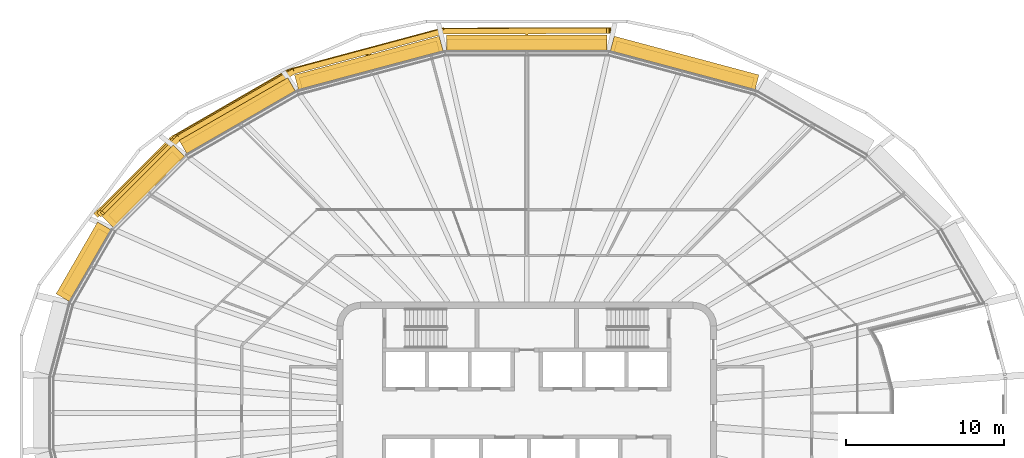
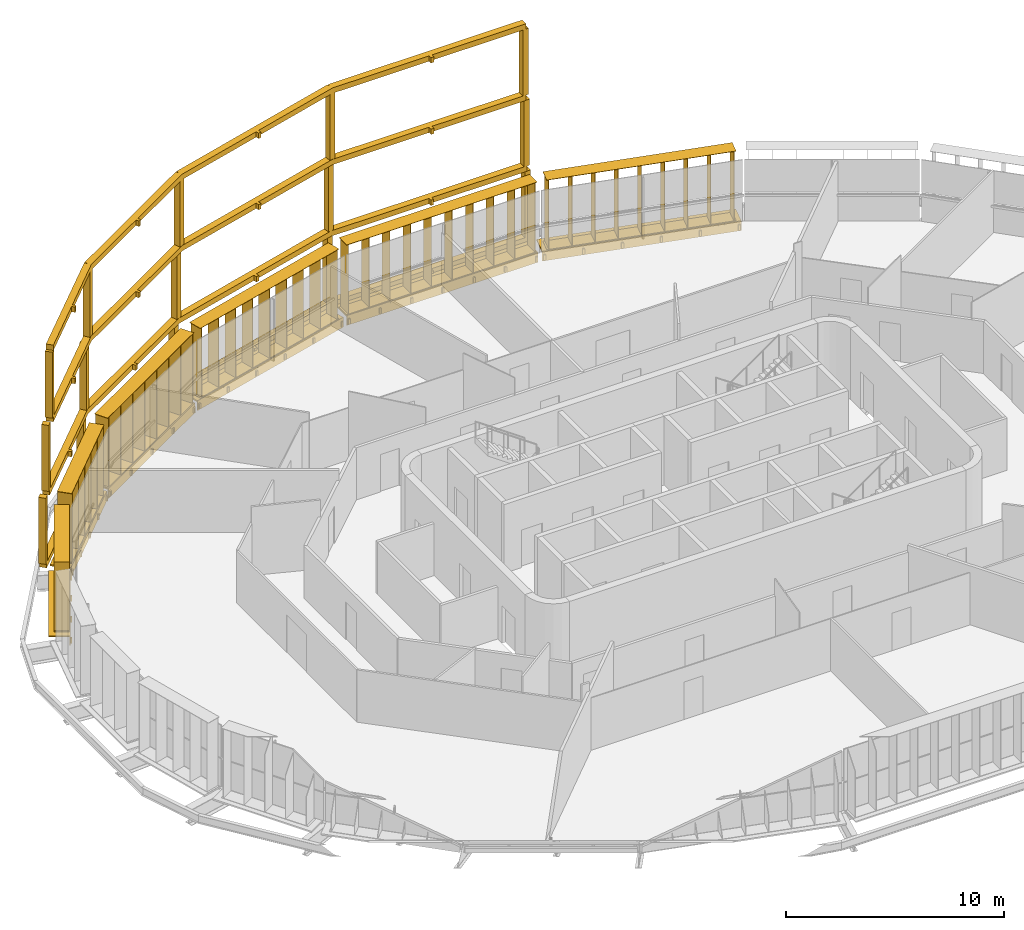
# One storey, part 20 of 21: 13 shading devices.
"""IFC4 building model written with IfcOpenShell, lengths in metres."""

from ifc_helpers import new_model, si_unit, direction, frame, origin, origin_2d, place, context, subcontext, project, spatial, polyline, rectangle, outline, extrude, material, type_object, element, save


model = new_model("IFC4")

# Units and contexts
model_context = context("Model", 3, precision=1e-05, world=origin(), true_north=direction((0.0, 1.0)))
body_context = subcontext(model_context, "Body", "Model", "MODEL_VIEW")
ifc_project = project(units=[si_unit("LENGTHUNIT", "METRE"), si_unit("AREAUNIT", "SQUARE_METRE"), si_unit("VOLUMEUNIT", "CUBIC_METRE"), si_unit("PLANEANGLEUNIT", "RADIAN"), si_unit("MASSUNIT", "GRAM", prefix="KILO")], contexts=[model_context])

# Site, building, storey
site_placement = place(None, origin())
site = spatial("IfcSite", under=ifc_project, at=site_placement, CompositionType="ELEMENT")
building_placement = place(site_placement, origin())
building = spatial("IfcBuilding", under=site, at=building_placement, Name="Sahrelin Media Tower", CompositionType="ELEMENT")
storey_placement = place(building_placement, frame((0.0, 0.0, 263.0)))
storey = spatial("IfcBuildingStorey", under=building, at=storey_placement, Name="L57", CompositionType="ELEMENT", Elevation=263.0)

# Shading devices
ifc_material_1 = material(Name="Dark bronze anodised aluminium 6063-T6", Category="aluminium")
shading_device_type_1 = type_object("IfcShadingDeviceType", Name="Deep frame", PredefinedType="USERDEFINED", material=ifc_material_1)
shading_device_1_placement = place(storey_placement, frame((5.170166015625, 22.84521484375, 0.0), z_axis=(0.0, 0.0, 1.0), x_axis=(1.0, 0.0, 0.0)))
element("IfcShadingDevice", 1, at=shading_device_1_placement, inside=storey, type_object=shading_device_type_1, Name="L57:FRAME:F5-3", ObjectType="FRAME", PredefinedType="USERDEFINED", context=body_context, shape_type="SweptSolid", body=[
    extrude(rectangle(XDim=0.300048828125, YDim=0.35009765625, at=origin_2d()), frame((0.0, 1.324951171875, 0.14990234375), z_axis=(0.0, 0.0, 1.0), x_axis=(-1.0, 0.0, 0.0)), (0.0, 0.0, 1.0), 3.7001953125),
    extrude(rectangle(XDim=0.300048828125, YDim=0.35009765625, at=origin_2d()), frame((-10.51318359375, 1.313720703125, 0.14990234375), z_axis=(0.0, 0.0, 1.0), x_axis=(-0.991436202368, -0.130591947046, 0.0)), (0.0, 0.0, 1.0), 3.7001953125),
    extrude(rectangle(XDim=0.300048828125, YDim=0.35009765625, at=origin_2d()), frame((-20.178466796875, -1.276123046875, 0.14990234375), z_axis=(0.0, 0.0, 1.0), x_axis=(-0.923897565017, -0.382639895143, 0.0)), (0.0, 0.0, 1.0), 3.7001953125),
    extrude(rectangle(XDim=0.300048828125, YDim=0.35009765625, at=origin_2d()), frame((-27.510498046875, -5.50927734375, 0.14990234375), z_axis=(0.0, 0.0, 1.0), x_axis=(-0.793352277801, -0.608762813671, 0.0)), (0.0, 0.0, 1.0), 3.7001953125),
    extrude(rectangle(XDim=0.300048828125, YDim=0.35009765625, at=origin_2d()), frame((-32.284423828125, -10.26708984375, 0.14990234375), z_axis=(0.0, 0.0, 1.0), x_axis=(-0.707106781187, -0.707106781187, 0.0)), (0.0, 0.0, 1.0), 3.7001953125),
    extrude(outline(polyline([(-29.7646484375, -8.24951171875), (-29.658447265625, -8.143310546875), (-29.78173828125, -8.02001953125), (-27.403076171875, -5.6494140625), (-23.822021484375, -3.581787109375), (-23.737548828125, -3.727783203125), (-23.607666015625, -3.65283203125), (-23.69189453125, -3.506591796875), (-20.11083984375, -1.439208984375), (-15.373046875, -0.169677734375), (-15.329345703125, -0.33251953125), (-15.184326171875, -0.293701171875), (-15.22802734375, -0.130859375), (-10.489990234375, 1.138671875), (-5.2451171875, 1.144287109375), (-5.2451171875, 0.969970703125), (-5.09521484375, 0.969970703125), (-5.09521484375, 1.14453125), (0.000244140625, 1.14990234375), (-0.000244140625, 1.5), (-10.51318359375, 1.48876953125), (-10.51318359375, 1.313720703125), (-10.558349609375, 1.482666015625), (-20.2236328125, -1.107177734375), (-20.178466796875, -1.276123046875), (-20.26611328125, -1.12451171875), (-27.597900390625, -5.357666015625), (-27.510498046875, -5.50927734375), (-27.6337890625, -5.38525390625), (-32.407958984375, -10.143310546875), (-32.160888671875, -10.39111328125), (-29.887939453125, -8.1259765625), (-29.7646484375, -8.24951171875)])), frame((0.0, 0.0, -0.14990234375)), (0.0, 0.0, 1.0), 0.2998046875),
    extrude(rectangle(XDim=0.300048828125, YDim=0.35009765625, at=origin_2d()), frame((-0.05419921875, 1.309814453125, 4.14990234375), z_axis=(0.0, 0.0, 1.0), x_axis=(-1.0, 0.0, 0.0)), (0.0, 0.0, 1.0), 3.7001953125),
    extrude(rectangle(XDim=0.300048828125, YDim=0.35009765625, at=origin_2d()), frame((-10.458984375, 1.298583984375, 4.14990234375), z_axis=(0.0, 0.0, 1.0), x_axis=(-0.991436202368, -0.130591947046, 0.0)), (0.0, 0.0, 1.0), 3.7001953125),
    extrude(rectangle(XDim=0.300048828125, YDim=0.35009765625, at=origin_2d()), frame((-20.040771484375, -1.26904296875, 4.14990234375), z_axis=(0.0, 0.0, 1.0), x_axis=(-0.923897565017, -0.382639895143, 0.0)), (0.0, 0.0, 1.0), 3.7001953125),
    extrude(rectangle(XDim=0.300048828125, YDim=0.35009765625, at=origin_2d()), frame((-27.3349609375, -5.480224609375, 4.14990234375), z_axis=(0.0, 0.0, 1.0), x_axis=(-0.793352277801, -0.608762813671, 0.0)), (0.0, 0.0, 1.0), 3.7001953125),
    extrude(rectangle(XDim=0.300048828125, YDim=0.35009765625, at=origin_2d()), frame((-32.102294921875, -10.231689453125, 4.14990234375), z_axis=(0.0, 0.0, 1.0), x_axis=(-0.707106781187, -0.707106781187, 0.0)), (0.0, 0.0, 1.0), 3.7001953125),
    extrude(outline(polyline([(-29.585693359375, -8.21728515625), (-29.479736328125, -8.111083984375), (-29.60302734375, -7.98779296875), (-27.2275390625, -5.620361328125), (-23.665283203125, -3.563720703125), (-23.580810546875, -3.709716796875), (-23.450927734375, -3.634765625), (-23.535400390625, -3.48876953125), (-19.97314453125, -1.431884765625), (-15.277099609375, -0.173583984375), (-15.2333984375, -0.336669921875), (-15.08837890625, -0.2978515625), (-15.132080078125, -0.135009765625), (-10.435791015625, 1.12353515625), (-5.2451171875, 1.129150390625), (-5.2451171875, 0.954833984375), (-5.09521484375, 0.954833984375), (-5.09521484375, 1.12939453125), (-0.053955078125, 1.134765625), (-0.05419921875, 1.48486328125), (-10.459228515625, 1.473388671875), (-10.458984375, 1.298583984375), (-10.50439453125, 1.467529296875), (-20.0859375, -1.099853515625), (-20.040771484375, -1.26904296875), (-20.128173828125, -1.117431640625), (-27.42236328125, -5.328857421875), (-27.3349609375, -5.480224609375), (-27.45849609375, -5.3564453125), (-32.22607421875, -10.10791015625), (-31.97900390625, -10.355712890625), (-29.709228515625, -8.09375), (-29.585693359375, -8.21728515625)])), frame((0.0, 0.0, 3.85009765625)), (0.0, 0.0, 1.0), 0.2998046875),
    extrude(rectangle(XDim=0.300048828125, YDim=0.35009765625, at=origin_2d()), frame((-0.119140625, 1.29150390625, 8.14990234375), z_axis=(0.0, 0.0, 1.0), x_axis=(-1.0, 0.0, 0.0)), (0.0, 0.0, 1.0), 3.7001953125),
    extrude(rectangle(XDim=0.300048828125, YDim=0.35009765625, at=origin_2d()), frame((-10.39404296875, 1.280029296875, 8.14990234375), z_axis=(0.0, 0.0, 1.0), x_axis=(-0.991434606813, -0.130604059715, 0.0)), (0.0, 0.0, 1.0), 3.7001953125),
    extrude(rectangle(XDim=0.300048828125, YDim=0.35009765625, at=origin_2d()), frame((-19.874755859375, -1.260498046875, 8.14990234375), z_axis=(0.0, 0.0, 1.0), x_axis=(-0.923897565017, -0.382639895143, 0.0)), (0.0, 0.0, 1.0), 3.7001953125),
    extrude(rectangle(XDim=0.300048828125, YDim=0.35009765625, at=origin_2d()), frame((-27.123291015625, -5.4453125, 8.14990234375), z_axis=(0.0, 0.0, 1.0), x_axis=(-0.793352277801, -0.608762813671, 0.0)), (0.0, 0.0, 1.0), 3.7001953125),
    extrude(rectangle(XDim=0.300048828125, YDim=0.35009765625, at=origin_2d()), frame((-31.8828125, -10.188720703125, 8.14990234375), z_axis=(0.0, 0.0, 1.0), x_axis=(-0.707106781187, -0.707106781187, 0.0)), (0.0, 0.0, 1.0), 3.7001953125),
    extrude(outline(polyline([(-29.3701171875, -8.17822265625), (-29.26416015625, -8.072021484375), (-29.387451171875, -7.94873046875), (-27.015869140625, -5.585205078125), (-23.476318359375, -3.541748046875), (-23.39208984375, -3.68798828125), (-23.26220703125, -3.61279296875), (-23.346435546875, -3.466796875), (-19.80712890625, -1.42333984375), (-15.16162109375, -0.1787109375), (-15.117919921875, -0.341552734375), (-14.972900390625, -0.302734375), (-15.0166015625, -0.139892578125), (-10.370849609375, 1.10498046875), (-5.2451171875, 1.110595703125), (-5.2451171875, 0.936279296875), (-5.09521484375, 0.936279296875), (-5.09521484375, 1.11083984375), (-0.118896484375, 1.116455078125), (-0.119384765625, 1.46630859375), (-10.394287109375, 1.455078125), (-10.39404296875, 1.280029296875), (-10.439208984375, 1.44921875), (-19.920166015625, -1.09130859375), (-19.874755859375, -1.260498046875), (-19.96240234375, -1.10888671875), (-27.210693359375, -5.293701171875), (-27.123291015625, -5.4453125), (-27.24658203125, -5.3212890625), (-32.00634765625, -10.064697265625), (-31.759521484375, -10.312744140625), (-29.49365234375, -8.0546875), (-29.3701171875, -8.17822265625)])), frame((0.0, 0.0, 7.85009765625)), (0.0, 0.0, 1.0), 0.2998046875),
    extrude(outline(polyline([(-29.3701171875, -8.17822265625), (-29.26416015625, -8.072021484375), (-29.387451171875, -7.94873046875), (-27.015869140625, -5.585205078125), (-23.476318359375, -3.541748046875), (-23.39208984375, -3.68798828125), (-23.26220703125, -3.61279296875), (-23.346435546875, -3.466796875), (-19.80712890625, -1.42333984375), (-15.16162109375, -0.1787109375), (-15.117919921875, -0.341552734375), (-14.972900390625, -0.302734375), (-15.0166015625, -0.139892578125), (-10.370849609375, 1.10498046875), (-5.2451171875, 1.110595703125), (-5.2451171875, 0.936279296875), (-5.09521484375, 0.936279296875), (-5.09521484375, 1.11083984375), (-0.118896484375, 1.116455078125), (-0.119384765625, 1.46630859375), (-10.394287109375, 1.455078125), (-10.39404296875, 1.280029296875), (-10.439208984375, 1.44921875), (-19.920166015625, -1.09130859375), (-19.874755859375, -1.260498046875), (-19.96240234375, -1.10888671875), (-27.210693359375, -5.293701171875), (-27.123291015625, -5.4453125), (-27.24658203125, -5.3212890625), (-32.00634765625, -10.064697265625), (-31.759521484375, -10.312744140625), (-29.49365234375, -8.0546875), (-29.3701171875, -8.17822265625)])), frame((0.0, 0.0, 11.85009765625)), (0.0, 0.0, 1.0), 0.2998046875),
])
ifc_material_2 = material(Name="Champagne anodised aluminium 6063-T6", Category="aluminium")
shading_device_type_2 = type_object("IfcShadingDeviceType", Name="Fin cassette", PredefinedType="USERDEFINED", material=ifc_material_2)
placement_1 = place(storey_placement, frame((9.835693359375, 21.59521484375, 0.0), z_axis=(0.0, 0.0, 1.0), x_axis=(0.965928857556, -0.258807731996, 0.0)))
element("IfcShadingDevice", 2, at=placement_1, inside=storey, type_object=shading_device_type_2, Name="L57:FIN:L57-05", ObjectType="FIN", PredefinedType="USERDEFINED", context=body_context, shape_type="SweptSolid", body=[
    extrude(rectangle(XDim=9.0, YDim=0.699951171875, at=origin_2d()), frame((0.0, 0.419921875, 0.0)), (0.0, 0.0, 1.0), 0.02001953125),
    extrude(rectangle(XDim=9.0, YDim=0.699951171875, at=origin_2d()), frame((0.0, 0.419921875, 3.89990234375)), (0.0, 0.0, 1.0), 0.02001953125),
    extrude(rectangle(XDim=0.02001953125, YDim=0.699951171875, at=origin_2d()), frame((-4.39990234375, 0.419921875, 0.010009765625), z_axis=(0.0, 0.0, 1.0), x_axis=(1.0, 0.0, 0.0)), (0.0, 0.0, 1.0), 3.89990234375),
    extrude(rectangle(XDim=0.02001953125, YDim=0.699951171875, at=origin_2d()), frame((-3.300048828125, 0.419921875, 0.010009765625), z_axis=(0.0, 0.0, 1.0), x_axis=(1.0, 0.0, 0.0)), (0.0, 0.0, 1.0), 3.89990234375),
    extrude(rectangle(XDim=0.02001953125, YDim=0.699951171875, at=origin_2d()), frame((-2.199951171875, 0.419921875, 0.010009765625), z_axis=(0.0, 0.0, 1.0), x_axis=(1.0, 0.0, 0.0)), (0.0, 0.0, 1.0), 3.89990234375),
    extrude(rectangle(XDim=0.02001953125, YDim=0.699951171875, at=origin_2d()), frame((-1.10009765625, 0.419921875, 0.010009765625), z_axis=(0.0, 0.0, 1.0), x_axis=(1.0, 0.0, 0.0)), (0.0, 0.0, 1.0), 3.89990234375),
    extrude(rectangle(XDim=0.02001953125, YDim=0.699951171875, at=origin_2d()), frame((0.0, 0.419921875, 0.010009765625), z_axis=(0.0, 0.0, 1.0), x_axis=(1.0, 0.0, 0.0)), (0.0, 0.0, 1.0), 3.89990234375),
    extrude(rectangle(XDim=0.02001953125, YDim=0.699951171875, at=origin_2d()), frame((1.10009765625, 0.419921875, 0.010009765625), z_axis=(0.0, 0.0, 1.0), x_axis=(1.0, 0.0, 0.0)), (0.0, 0.0, 1.0), 3.89990234375),
    extrude(rectangle(XDim=0.02001953125, YDim=0.699951171875, at=origin_2d()), frame((2.199951171875, 0.419921875, 0.010009765625), z_axis=(0.0, 0.0, 1.0), x_axis=(1.0, 0.0, 0.0)), (0.0, 0.0, 1.0), 3.89990234375),
    extrude(rectangle(XDim=0.02001953125, YDim=0.699951171875, at=origin_2d()), frame((3.300048828125, 0.419921875, 0.010009765625), z_axis=(0.0, 0.0, 1.0), x_axis=(1.0, 0.0, 0.0)), (0.0, 0.0, 1.0), 3.89990234375),
    extrude(rectangle(XDim=0.02001953125, YDim=0.699951171875, at=origin_2d()), frame((4.39990234375, 0.419921875, 0.010009765625), z_axis=(0.0, 0.0, 1.0), x_axis=(1.0, 0.0, 0.0)), (0.0, 0.0, 1.0), 3.89990234375),
])
placement_2 = place(storey_placement, frame((0.0, 22.84521484375, 0.0), z_axis=(0.0, 0.0, 1.0), x_axis=(1.0, 0.0, 0.0)))
element("IfcShadingDevice", 3, at=placement_2, inside=storey, type_object=shading_device_type_2, Name="L57:FIN:L57-06", ObjectType="FIN", PredefinedType="USERDEFINED", context=body_context, shape_type="SweptSolid", body=[
    extrude(rectangle(XDim=10.10009765625, YDim=0.699951171875, at=origin_2d()), frame((0.0, 0.419921875, 0.0)), (0.0, 0.0, 1.0), 0.02001953125),
    extrude(rectangle(XDim=10.10009765625, YDim=0.699951171875, at=origin_2d()), frame((0.0, 0.419921875, 3.89990234375)), (0.0, 0.0, 1.0), 0.02001953125),
    extrude(rectangle(XDim=0.02001953125, YDim=0.699951171875, at=origin_2d()), frame((-4.949951171875, 0.419921875, 0.010009765625), z_axis=(0.0, 0.0, 1.0), x_axis=(1.0, 0.0, 0.0)), (0.0, 0.0, 1.0), 3.89990234375),
    extrude(rectangle(XDim=0.02001953125, YDim=0.699951171875, at=origin_2d()), frame((-3.85009765625, 0.419921875, 0.010009765625), z_axis=(0.0, 0.0, 1.0), x_axis=(1.0, 0.0, 0.0)), (0.0, 0.0, 1.0), 3.89990234375),
    extrude(rectangle(XDim=0.02001953125, YDim=0.699951171875, at=origin_2d()), frame((-2.75, 0.419921875, 0.010009765625), z_axis=(0.0, 0.0, 1.0), x_axis=(1.0, 0.0, 0.0)), (0.0, 0.0, 1.0), 3.89990234375),
    extrude(rectangle(XDim=0.02001953125, YDim=0.699951171875, at=origin_2d()), frame((-1.64990234375, 0.419921875, 0.010009765625), z_axis=(0.0, 0.0, 1.0), x_axis=(1.0, 0.0, 0.0)), (0.0, 0.0, 1.0), 3.89990234375),
    extrude(rectangle(XDim=0.02001953125, YDim=0.699951171875, at=origin_2d()), frame((-0.550048828125, 0.419921875, 0.010009765625), z_axis=(0.0, 0.0, 1.0), x_axis=(1.0, 0.0, 0.0)), (0.0, 0.0, 1.0), 3.89990234375),
    extrude(rectangle(XDim=0.02001953125, YDim=0.699951171875, at=origin_2d()), frame((0.550048828125, 0.419921875, 0.010009765625), z_axis=(0.0, 0.0, 1.0), x_axis=(1.0, 0.0, 0.0)), (0.0, 0.0, 1.0), 3.89990234375),
    extrude(rectangle(XDim=0.02001953125, YDim=0.699951171875, at=origin_2d()), frame((1.64990234375, 0.419921875, 0.010009765625), z_axis=(0.0, 0.0, 1.0), x_axis=(1.0, 0.0, 0.0)), (0.0, 0.0, 1.0), 3.89990234375),
    extrude(rectangle(XDim=0.02001953125, YDim=0.699951171875, at=origin_2d()), frame((2.75, 0.419921875, 0.010009765625), z_axis=(0.0, 0.0, 1.0), x_axis=(1.0, 0.0, 0.0)), (0.0, 0.0, 1.0), 3.89990234375),
    extrude(rectangle(XDim=0.02001953125, YDim=0.699951171875, at=origin_2d()), frame((3.85009765625, 0.419921875, 0.010009765625), z_axis=(0.0, 0.0, 1.0), x_axis=(1.0, 0.0, 0.0)), (0.0, 0.0, 1.0), 3.89990234375),
    extrude(rectangle(XDim=0.02001953125, YDim=0.699951171875, at=origin_2d()), frame((4.949951171875, 0.419921875, 0.010009765625), z_axis=(0.0, 0.0, 1.0), x_axis=(1.0, 0.0, 0.0)), (0.0, 0.0, 1.0), 3.89990234375),
])
placement_3 = place(storey_placement, frame((-9.835693359375, 21.59521484375, 0.0), z_axis=(0.0, 0.0, 1.0), x_axis=(0.965928857556, 0.258807731996, 0.0)))
element("IfcShadingDevice", 4, at=placement_3, inside=storey, type_object=shading_device_type_2, Name="L57:FIN:L57-07", ObjectType="FIN", PredefinedType="USERDEFINED", context=body_context, shape_type="SweptSolid", body=[
    extrude(rectangle(XDim=9.0, YDim=0.699951171875, at=origin_2d()), frame((0.0, 0.419921875, 0.0)), (0.0, 0.0, 1.0), 0.02001953125),
    extrude(rectangle(XDim=9.0, YDim=0.699951171875, at=origin_2d()), frame((0.0, 0.419921875, 3.89990234375)), (0.0, 0.0, 1.0), 0.02001953125),
    extrude(rectangle(XDim=0.02001953125, YDim=0.699951171875, at=origin_2d()), frame((-4.39990234375, 0.419921875, 0.010009765625), z_axis=(0.0, 0.0, 1.0), x_axis=(1.0, 0.0, 0.0)), (0.0, 0.0, 1.0), 3.89990234375),
    extrude(rectangle(XDim=0.02001953125, YDim=0.699951171875, at=origin_2d()), frame((-3.300048828125, 0.419921875, 0.010009765625), z_axis=(0.0, 0.0, 1.0), x_axis=(1.0, 0.0, 0.0)), (0.0, 0.0, 1.0), 3.89990234375),
    extrude(rectangle(XDim=0.02001953125, YDim=0.699951171875, at=origin_2d()), frame((-2.199951171875, 0.419921875, 0.010009765625), z_axis=(0.0, 0.0, 1.0), x_axis=(1.0, 0.0, 0.0)), (0.0, 0.0, 1.0), 3.89990234375),
    extrude(rectangle(XDim=0.02001953125, YDim=0.699951171875, at=origin_2d()), frame((-1.10009765625, 0.419921875, 0.010009765625), z_axis=(0.0, 0.0, 1.0), x_axis=(1.0, 0.0, 0.0)), (0.0, 0.0, 1.0), 3.89990234375),
    extrude(rectangle(XDim=0.02001953125, YDim=0.699951171875, at=origin_2d()), frame((0.0, 0.419921875, 0.010009765625), z_axis=(0.0, 0.0, 1.0), x_axis=(1.0, 0.0, 0.0)), (0.0, 0.0, 1.0), 3.89990234375),
    extrude(rectangle(XDim=0.02001953125, YDim=0.699951171875, at=origin_2d()), frame((1.10009765625, 0.419921875, 0.010009765625), z_axis=(0.0, 0.0, 1.0), x_axis=(1.0, 0.0, 0.0)), (0.0, 0.0, 1.0), 3.89990234375),
    extrude(rectangle(XDim=0.02001953125, YDim=0.699951171875, at=origin_2d()), frame((2.199951171875, 0.419921875, 0.010009765625), z_axis=(0.0, 0.0, 1.0), x_axis=(1.0, 0.0, 0.0)), (0.0, 0.0, 1.0), 3.89990234375),
    extrude(rectangle(XDim=0.02001953125, YDim=0.699951171875, at=origin_2d()), frame((3.300048828125, 0.419921875, 0.010009765625), z_axis=(0.0, 0.0, 1.0), x_axis=(1.0, 0.0, 0.0)), (0.0, 0.0, 1.0), 3.89990234375),
    extrude(rectangle(XDim=0.02001953125, YDim=0.699951171875, at=origin_2d()), frame((4.39990234375, 0.419921875, 0.010009765625), z_axis=(0.0, 0.0, 1.0), x_axis=(1.0, 0.0, 0.0)), (0.0, 0.0, 1.0), 3.89990234375),
])
placement_4 = place(storey_placement, frame((-18.017578125, 18.31494140625, 0.0), z_axis=(0.0, 0.0, 1.0), x_axis=(0.866019052629, 0.500011000363, 0.0)))
element("IfcShadingDevice", 5, at=placement_4, inside=storey, type_object=shading_device_type_2, Name="L57:FIN:L57-08", ObjectType="FIN", PredefinedType="USERDEFINED", context=body_context, shape_type="SweptSolid", body=[
    extrude(rectangle(XDim=7.89990234375, YDim=0.699951171875, at=origin_2d()), frame((0.0, 0.419921875, 0.0)), (0.0, 0.0, 1.0), 0.02001953125),
    extrude(rectangle(XDim=7.89990234375, YDim=0.699951171875, at=origin_2d()), frame((0.0, 0.419921875, 3.89990234375)), (0.0, 0.0, 1.0), 0.02001953125),
    extrude(rectangle(XDim=0.02001953125, YDim=0.699951171875, at=origin_2d()), frame((-3.85009765625, 0.419921875, 0.010009765625), z_axis=(0.0, 0.0, 1.0), x_axis=(1.0, 0.0, 0.0)), (0.0, 0.0, 1.0), 3.89990234375),
    extrude(rectangle(XDim=0.02001953125, YDim=0.699951171875, at=origin_2d()), frame((-2.75, 0.419921875, 0.010009765625), z_axis=(0.0, 0.0, 1.0), x_axis=(1.0, 0.0, 0.0)), (0.0, 0.0, 1.0), 3.89990234375),
    extrude(rectangle(XDim=0.02001953125, YDim=0.699951171875, at=origin_2d()), frame((-1.64990234375, 0.419921875, 0.010009765625), z_axis=(0.0, 0.0, 1.0), x_axis=(1.0, 0.0, 0.0)), (0.0, 0.0, 1.0), 3.89990234375),
    extrude(rectangle(XDim=0.02001953125, YDim=0.699951171875, at=origin_2d()), frame((-0.550048828125, 0.419921875, 0.010009765625), z_axis=(0.0, 0.0, 1.0), x_axis=(1.0, 0.0, 0.0)), (0.0, 0.0, 1.0), 3.89990234375),
    extrude(rectangle(XDim=0.02001953125, YDim=0.699951171875, at=origin_2d()), frame((0.550048828125, 0.419921875, 0.010009765625), z_axis=(0.0, 0.0, 1.0), x_axis=(1.0, 0.0, 0.0)), (0.0, 0.0, 1.0), 3.89990234375),
    extrude(rectangle(XDim=0.02001953125, YDim=0.699951171875, at=origin_2d()), frame((1.64990234375, 0.419921875, 0.010009765625), z_axis=(0.0, 0.0, 1.0), x_axis=(1.0, 0.0, 0.0)), (0.0, 0.0, 1.0), 3.89990234375),
    extrude(rectangle(XDim=0.02001953125, YDim=0.699951171875, at=origin_2d()), frame((2.75, 0.419921875, 0.010009765625), z_axis=(0.0, 0.0, 1.0), x_axis=(1.0, 0.0, 0.0)), (0.0, 0.0, 1.0), 3.89990234375),
    extrude(rectangle(XDim=0.02001953125, YDim=0.699951171875, at=origin_2d()), frame((3.85009765625, 0.419921875, 0.010009765625), z_axis=(0.0, 0.0, 1.0), x_axis=(1.0, 0.0, 0.0)), (0.0, 0.0, 1.0), 3.89990234375),
])
placement_5 = place(storey_placement, frame((-23.855712890625, 13.963134765625, 0.0), z_axis=(0.0, 0.0, 1.0), x_axis=(0.707106781187, 0.707106781187, 0.0)))
element("IfcShadingDevice", 6, at=placement_5, inside=storey, type_object=shading_device_type_2, Name="L57:FIN:L57-09", ObjectType="FIN", PredefinedType="USERDEFINED", context=body_context, shape_type="SweptSolid", body=[
    extrude(rectangle(XDim=5.699951171875, YDim=0.699951171875, at=origin_2d()), frame((0.0, 0.419921875, 0.0)), (0.0, 0.0, 1.0), 0.02001953125),
    extrude(rectangle(XDim=5.699951171875, YDim=0.699951171875, at=origin_2d()), frame((0.0, 0.419921875, 3.89990234375)), (0.0, 0.0, 1.0), 0.02001953125),
    extrude(rectangle(XDim=0.02001953125, YDim=0.699951171875, at=origin_2d()), frame((-2.75, 0.419921875, 0.010009765625), z_axis=(0.0, 0.0, 1.0), x_axis=(1.0, 0.0, 0.0)), (0.0, 0.0, 1.0), 3.89990234375),
    extrude(rectangle(XDim=0.02001953125, YDim=0.699951171875, at=origin_2d()), frame((-1.64990234375, 0.419921875, 0.010009765625), z_axis=(0.0, 0.0, 1.0), x_axis=(1.0, 0.0, 0.0)), (0.0, 0.0, 1.0), 3.89990234375),
    extrude(rectangle(XDim=0.02001953125, YDim=0.699951171875, at=origin_2d()), frame((-0.550048828125, 0.419921875, 0.010009765625), z_axis=(0.0, 0.0, 1.0), x_axis=(1.0, 0.0, 0.0)), (0.0, 0.0, 1.0), 3.89990234375),
    extrude(rectangle(XDim=0.02001953125, YDim=0.699951171875, at=origin_2d()), frame((0.550048828125, 0.419921875, 0.010009765625), z_axis=(0.0, 0.0, 1.0), x_axis=(1.0, 0.0, 0.0)), (0.0, 0.0, 1.0), 3.89990234375),
    extrude(rectangle(XDim=0.02001953125, YDim=0.699951171875, at=origin_2d()), frame((1.64990234375, 0.419921875, 0.010009765625), z_axis=(0.0, 0.0, 1.0), x_axis=(1.0, 0.0, 0.0)), (0.0, 0.0, 1.0), 3.89990234375),
    extrude(rectangle(XDim=0.02001953125, YDim=0.699951171875, at=origin_2d()), frame((2.75, 0.419921875, 0.010009765625), z_axis=(0.0, 0.0, 1.0), x_axis=(1.0, 0.0, 0.0)), (0.0, 0.0, 1.0), 3.89990234375),
])
placement_6 = place(storey_placement, frame((-27.537109375, 9.285888671875, 0.0), z_axis=(0.0, 0.0, 1.0), x_axis=(0.500011000363, 0.866019052629, 0.0)))
element("IfcShadingDevice", 7, at=placement_6, inside=storey, type_object=shading_device_type_2, Name="L57:FIN:L57-10", ObjectType="FIN", PredefinedType="USERDEFINED", context=body_context, shape_type="SweptSolid", body=[
    extrude(rectangle(XDim=4.60009765625, YDim=0.699951171875, at=origin_2d()), frame((0.0, 0.419921875, 0.0)), (0.0, 0.0, 1.0), 0.02001953125),
    extrude(rectangle(XDim=4.60009765625, YDim=0.699951171875, at=origin_2d()), frame((0.0, 0.419921875, 3.89990234375)), (0.0, 0.0, 1.0), 0.02001953125),
    extrude(rectangle(XDim=0.02001953125, YDim=0.699951171875, at=origin_2d()), frame((-2.199951171875, 0.419921875, 0.010009765625), z_axis=(0.0, 0.0, 1.0), x_axis=(1.0, 0.0, 0.0)), (0.0, 0.0, 1.0), 3.89990234375),
    extrude(rectangle(XDim=0.02001953125, YDim=0.699951171875, at=origin_2d()), frame((-1.10009765625, 0.419921875, 0.010009765625), z_axis=(0.0, 0.0, 1.0), x_axis=(1.0, 0.0, 0.0)), (0.0, 0.0, 1.0), 3.89990234375),
    extrude(rectangle(XDim=0.02001953125, YDim=0.699951171875, at=origin_2d()), frame((0.0, 0.419921875, 0.010009765625), z_axis=(0.0, 0.0, 1.0), x_axis=(1.0, 0.0, 0.0)), (0.0, 0.0, 1.0), 3.89990234375),
    extrude(rectangle(XDim=0.02001953125, YDim=0.699951171875, at=origin_2d()), frame((1.10009765625, 0.419921875, 0.010009765625), z_axis=(0.0, 0.0, 1.0), x_axis=(1.0, 0.0, 0.0)), (0.0, 0.0, 1.0), 3.89990234375),
    extrude(rectangle(XDim=0.02001953125, YDim=0.699951171875, at=origin_2d()), frame((2.199951171875, 0.419921875, 0.010009765625), z_axis=(0.0, 0.0, 1.0), x_axis=(1.0, 0.0, 0.0)), (0.0, 0.0, 1.0), 3.89990234375),
])
shading_device_type_3 = type_object("IfcShadingDeviceType", Name="Sunshade band", PredefinedType="USERDEFINED", material=ifc_material_2)
element("IfcShadingDevice", 8, at=placement_1, inside=storey, type_object=shading_device_type_3, Name="L57:SUN:L57-05", ObjectType="SUNSHADE", PredefinedType="USERDEFINED", context=body_context, shape_type="SweptSolid", body=[
    extrude(rectangle(XDim=9.46044921875, YDim=0.050048828125, at=origin_2d()), frame((0.0, 0.044921875, -0.55126953125)), (0.0, 0.0, 1.0), 0.471435546875),
    extrude(rectangle(XDim=9.46044921875, YDim=1.0, at=origin_2d()), frame((0.0, 0.52001953125, -0.080078125)), (0.0, 0.0, 1.0), 0.080078125),
    extrude(rectangle(XDim=0.10009765625, YDim=0.074951171875, at=origin_2d()), frame((-4.630126953125, -0.017578125, -0.47021484375)), (0.0, 0.0, 1.0), 0.300048828125),
    extrude(rectangle(XDim=0.10009765625, YDim=0.074951171875, at=origin_2d()), frame((-2.778076171875, -0.017578125, -0.47021484375)), (0.0, 0.0, 1.0), 0.300048828125),
    extrude(rectangle(XDim=0.10009765625, YDim=0.074951171875, at=origin_2d()), frame((-0.926025390625, -0.017578125, -0.47021484375)), (0.0, 0.0, 1.0), 0.300048828125),
    extrude(rectangle(XDim=0.10009765625, YDim=0.074951171875, at=origin_2d()), frame((0.926025390625, -0.017578125, -0.47021484375)), (0.0, 0.0, 1.0), 0.300048828125),
    extrude(rectangle(XDim=0.10009765625, YDim=0.074951171875, at=origin_2d()), frame((2.778076171875, -0.017578125, -0.47021484375)), (0.0, 0.0, 1.0), 0.300048828125),
    extrude(rectangle(XDim=0.10009765625, YDim=0.074951171875, at=origin_2d()), frame((4.630126953125, -0.017578125, -0.47021484375)), (0.0, 0.0, 1.0), 0.300048828125),
])
element("IfcShadingDevice", 9, at=placement_2, inside=storey, type_object=shading_device_type_3, Name="L57:SUN:L57-06", ObjectType="SUNSHADE", PredefinedType="USERDEFINED", context=body_context, shape_type="SweptSolid", body=[
    extrude(rectangle(XDim=10.14013671875, YDim=0.050048828125, at=origin_2d()), frame((0.0, 0.044921875, -0.55126953125)), (0.0, 0.0, 1.0), 0.471435546875),
    extrude(rectangle(XDim=10.14013671875, YDim=1.0, at=origin_2d()), frame((0.0, 0.52001953125, -0.080078125)), (0.0, 0.0, 1.0), 0.080078125),
    extrude(rectangle(XDim=0.10009765625, YDim=0.074951171875, at=origin_2d()), frame((-4.97021484375, -0.017578125, -0.47021484375)), (0.0, 0.0, 1.0), 0.300048828125),
    extrude(rectangle(XDim=0.10009765625, YDim=0.074951171875, at=origin_2d()), frame((-3.3134765625, -0.017578125, -0.47021484375)), (0.0, 0.0, 1.0), 0.300048828125),
    extrude(rectangle(XDim=0.10009765625, YDim=0.074951171875, at=origin_2d()), frame((-1.65673828125, -0.017578125, -0.47021484375)), (0.0, 0.0, 1.0), 0.300048828125),
    extrude(rectangle(XDim=0.10009765625, YDim=0.074951171875, at=origin_2d()), frame((0.0, -0.017578125, -0.47021484375)), (0.0, 0.0, 1.0), 0.300048828125),
    extrude(rectangle(XDim=0.10009765625, YDim=0.074951171875, at=origin_2d()), frame((1.65673828125, -0.017578125, -0.47021484375)), (0.0, 0.0, 1.0), 0.300048828125),
    extrude(rectangle(XDim=0.10009765625, YDim=0.074951171875, at=origin_2d()), frame((3.3134765625, -0.017578125, -0.47021484375)), (0.0, 0.0, 1.0), 0.300048828125),
    extrude(rectangle(XDim=0.10009765625, YDim=0.074951171875, at=origin_2d()), frame((4.97021484375, -0.017578125, -0.47021484375)), (0.0, 0.0, 1.0), 0.300048828125),
])
element("IfcShadingDevice", 10, at=placement_3, inside=storey, type_object=shading_device_type_3, Name="L57:SUN:L57-07", ObjectType="SUNSHADE", PredefinedType="USERDEFINED", context=body_context, shape_type="SweptSolid", body=[
    extrude(rectangle(XDim=9.46044921875, YDim=0.050048828125, at=origin_2d()), frame((0.0, 0.044921875, -0.55126953125)), (0.0, 0.0, 1.0), 0.471435546875),
    extrude(rectangle(XDim=9.46044921875, YDim=1.0, at=origin_2d()), frame((0.0, 0.52001953125, -0.080078125)), (0.0, 0.0, 1.0), 0.080078125),
    extrude(rectangle(XDim=0.10009765625, YDim=0.074951171875, at=origin_2d()), frame((-4.630126953125, -0.017578125, -0.47021484375)), (0.0, 0.0, 1.0), 0.300048828125),
    extrude(rectangle(XDim=0.10009765625, YDim=0.074951171875, at=origin_2d()), frame((-2.778076171875, -0.017578125, -0.47021484375)), (0.0, 0.0, 1.0), 0.300048828125),
    extrude(rectangle(XDim=0.10009765625, YDim=0.074951171875, at=origin_2d()), frame((-0.926025390625, -0.017578125, -0.47021484375)), (0.0, 0.0, 1.0), 0.300048828125),
    extrude(rectangle(XDim=0.10009765625, YDim=0.074951171875, at=origin_2d()), frame((0.926025390625, -0.017578125, -0.47021484375)), (0.0, 0.0, 1.0), 0.300048828125),
    extrude(rectangle(XDim=0.10009765625, YDim=0.074951171875, at=origin_2d()), frame((2.778076171875, -0.017578125, -0.47021484375)), (0.0, 0.0, 1.0), 0.300048828125),
    extrude(rectangle(XDim=0.10009765625, YDim=0.074951171875, at=origin_2d()), frame((4.630126953125, -0.017578125, -0.47021484375)), (0.0, 0.0, 1.0), 0.300048828125),
])
element("IfcShadingDevice", 11, at=placement_4, inside=storey, type_object=shading_device_type_3, Name="L57:SUN:L57-08", ObjectType="SUNSHADE", PredefinedType="USERDEFINED", context=body_context, shape_type="SweptSolid", body=[
    extrude(rectangle(XDim=7.92041015625, YDim=0.050048828125, at=origin_2d()), frame((0.0, 0.044921875, -0.55126953125)), (0.0, 0.0, 1.0), 0.471435546875),
    extrude(rectangle(XDim=7.92041015625, YDim=1.0, at=origin_2d()), frame((0.0, 0.52001953125, -0.080078125)), (0.0, 0.0, 1.0), 0.080078125),
    extrude(rectangle(XDim=0.10009765625, YDim=0.074951171875, at=origin_2d()), frame((-3.860107421875, -0.017578125, -0.47021484375)), (0.0, 0.0, 1.0), 0.300048828125),
    extrude(rectangle(XDim=0.10009765625, YDim=0.074951171875, at=origin_2d()), frame((-1.93017578125, -0.017578125, -0.47021484375)), (0.0, 0.0, 1.0), 0.300048828125),
    extrude(rectangle(XDim=0.10009765625, YDim=0.074951171875, at=origin_2d()), frame((0.0, -0.017578125, -0.47021484375)), (0.0, 0.0, 1.0), 0.300048828125),
    extrude(rectangle(XDim=0.10009765625, YDim=0.074951171875, at=origin_2d()), frame((1.93017578125, -0.017578125, -0.47021484375)), (0.0, 0.0, 1.0), 0.300048828125),
    extrude(rectangle(XDim=0.10009765625, YDim=0.074951171875, at=origin_2d()), frame((3.860107421875, -0.017578125, -0.47021484375)), (0.0, 0.0, 1.0), 0.300048828125),
])
element("IfcShadingDevice", 12, at=placement_5, inside=storey, type_object=shading_device_type_3, Name="L57:SUN:L57-09", ObjectType="SUNSHADE", PredefinedType="USERDEFINED", context=body_context, shape_type="SweptSolid", body=[
    extrude(rectangle(XDim=6.3671875, YDim=0.050048828125, at=origin_2d()), frame((0.0, 0.044921875, -0.55126953125)), (0.0, 0.0, 1.0), 0.471435546875),
    extrude(rectangle(XDim=6.3671875, YDim=1.0, at=origin_2d()), frame((0.0, 0.52001953125, -0.080078125)), (0.0, 0.0, 1.0), 0.080078125),
    extrude(rectangle(XDim=0.10009765625, YDim=0.074951171875, at=origin_2d()), frame((-3.08349609375, -0.017578125, -0.47021484375)), (0.0, 0.0, 1.0), 0.300048828125),
    extrude(rectangle(XDim=0.10009765625, YDim=0.074951171875, at=origin_2d()), frame((-1.541748046875, -0.017578125, -0.47021484375)), (0.0, 0.0, 1.0), 0.300048828125),
    extrude(rectangle(XDim=0.10009765625, YDim=0.074951171875, at=origin_2d()), frame((0.0, -0.017578125, -0.47021484375)), (0.0, 0.0, 1.0), 0.300048828125),
    extrude(rectangle(XDim=0.10009765625, YDim=0.074951171875, at=origin_2d()), frame((1.541748046875, -0.017578125, -0.47021484375)), (0.0, 0.0, 1.0), 0.300048828125),
    extrude(rectangle(XDim=0.10009765625, YDim=0.074951171875, at=origin_2d()), frame((3.08349609375, -0.017578125, -0.47021484375)), (0.0, 0.0, 1.0), 0.300048828125),
])
element("IfcShadingDevice", 13, at=placement_6, inside=storey, type_object=shading_device_type_3, Name="L57:SUN:L57-10", ObjectType="SUNSHADE", PredefinedType="USERDEFINED", context=body_context, shape_type="SweptSolid", body=[
    extrude(rectangle(XDim=5.239013671875, YDim=0.050048828125, at=origin_2d()), frame((0.0, 0.044921875, -0.55126953125)), (0.0, 0.0, 1.0), 0.471435546875),
    extrude(rectangle(XDim=5.239013671875, YDim=1.0, at=origin_2d()), frame((0.0, 0.52001953125, -0.080078125)), (0.0, 0.0, 1.0), 0.080078125),
    extrude(rectangle(XDim=0.10009765625, YDim=0.074951171875, at=origin_2d()), frame((-2.51953125, -0.017578125, -0.47021484375)), (0.0, 0.0, 1.0), 0.300048828125),
    extrude(rectangle(XDim=0.10009765625, YDim=0.074951171875, at=origin_2d()), frame((-0.83984375, -0.017578125, -0.47021484375)), (0.0, 0.0, 1.0), 0.300048828125),
    extrude(rectangle(XDim=0.10009765625, YDim=0.074951171875, at=origin_2d()), frame((0.83984375, -0.017578125, -0.47021484375)), (0.0, 0.0, 1.0), 0.300048828125),
    extrude(rectangle(XDim=0.10009765625, YDim=0.074951171875, at=origin_2d()), frame((2.51953125, -0.017578125, -0.47021484375)), (0.0, 0.0, 1.0), 0.300048828125),
])

save(model, "model.ifc")
